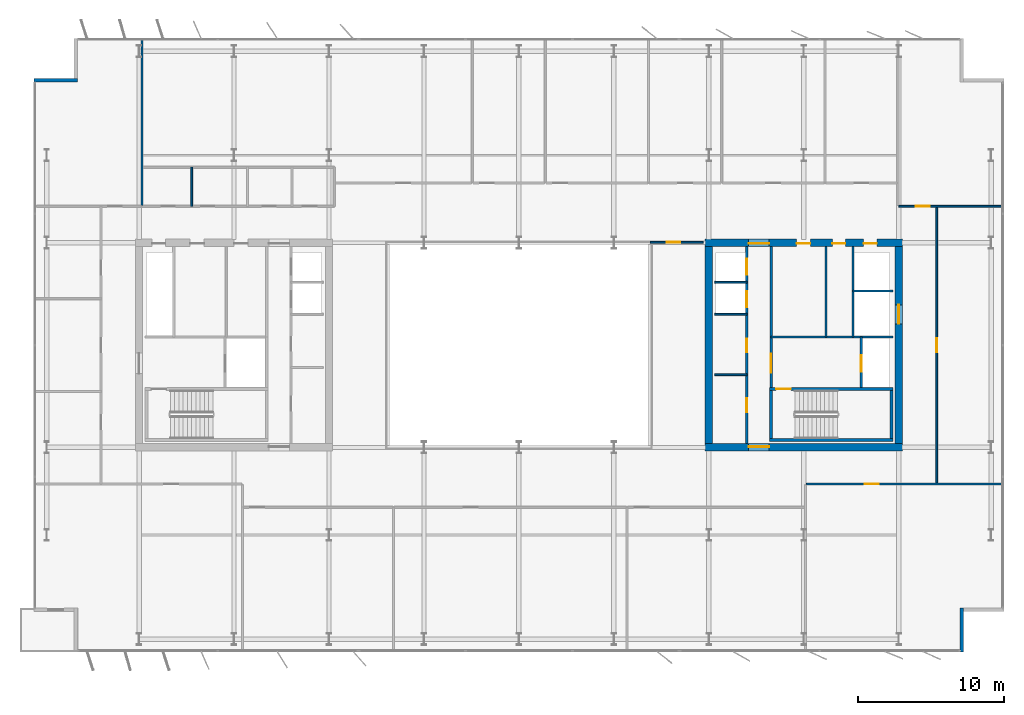
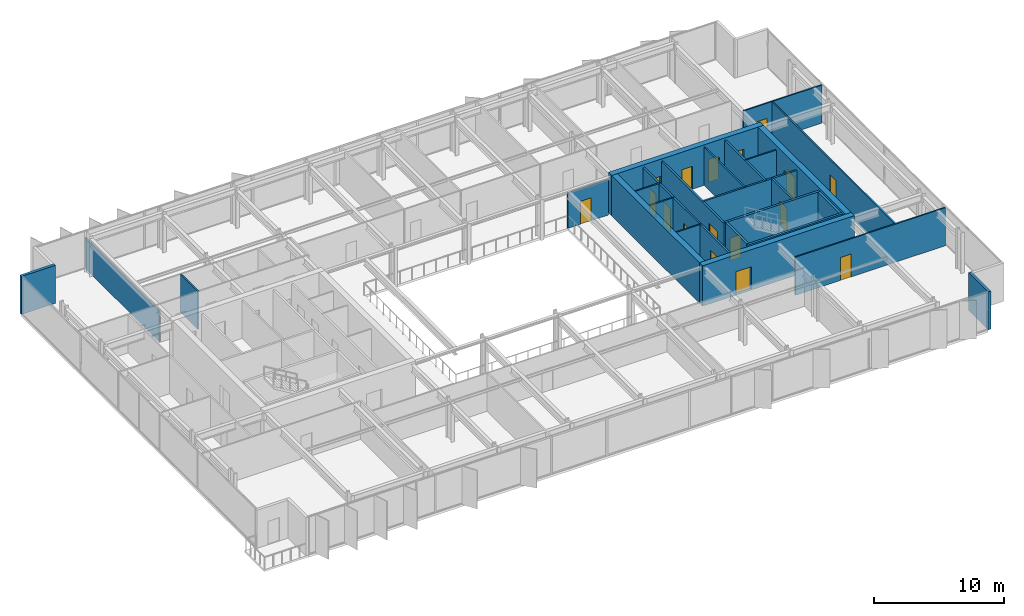
# One storey, part 18 of 23: 26 walls, 17 doors, 17 openings.
"""IFC4 building model written with IfcOpenShell, lengths in metres."""

from ifc_helpers import new_model, si_unit, direction, frame, frame_2d, origin, place, context, subcontext, project, spatial, rectangle, extrude, material, layer, layer_set, type_object, element, fill, save


model = new_model("IFC4")

# Units and contexts
model_context = context("Model", 3, precision=1e-05, world=origin(), true_north=direction((0.0, 1.0)))
body_context = subcontext(model_context, "Body", "Model", "MODEL_VIEW")
ifc_project = project(units=[si_unit("LENGTHUNIT", "METRE"), si_unit("AREAUNIT", "SQUARE_METRE"), si_unit("VOLUMEUNIT", "CUBIC_METRE"), si_unit("PLANEANGLEUNIT", "RADIAN"), si_unit("MASSUNIT", "GRAM", prefix="KILO")], contexts=[model_context])

# Site, building, storey
site_placement = place(None, origin())
site = spatial("IfcSite", under=ifc_project, at=site_placement, CompositionType="ELEMENT")
building_placement = place(site_placement, origin())
building = spatial("IfcBuilding", under=site, at=building_placement, Name="Putna Gate Headquarters", CompositionType="ELEMENT")
storey_placement = place(building_placement, frame((0.0, 0.0, 229.0)))
storey = spatial("IfcBuildingStorey", under=building, at=storey_placement, Name="L57", CompositionType="ELEMENT", Elevation=229.0)

# Wall, opening, door
ifc_material_1 = material(Name="Concrete C50/60", Category="concrete")
ifc_layer_1 = layer(ifc_material_1, 0.5)
ifc_layer_set_1 = layer_set([ifc_layer_1], Name="Concrete C50/60")
wall_type_1 = type_object("IfcWallType", Name="WALL-CORE-500", PredefinedType="SHEAR", material=ifc_layer_set_1)
wall_1_placement = place(storey_placement, frame((51.75, 19.0, 0.0), z_axis=(0.0, 0.0, 1.0), x_axis=(1.0, 0.0, 0.0)))
wall_1 = element("IfcWall", 1, at=wall_1_placement, inside=storey, type_object=wall_type_1, Name="L57 EC Split Core Shear Wall S", PredefinedType="SHEAR", context=body_context, shape_type="SweptSolid", body=[
    extrude(rectangle(XDim=13.5, YDim=0.5, at=frame_2d((6.75, 0.0))), origin(), (0.0, 0.0, 1.0), 3.800048828125),
])
opening_1_placement = place(wall_1_placement, frame((2.969970703125, 0.0, 0.0)))
opening_1 = element("IfcOpeningElement", 2, at=opening_1_placement, cuts=wall_1, Name="Opening FDD-140", PredefinedType="OPENING", context=body_context, shape_type="SweptSolid", body=[
    extrude(rectangle(XDim=1.39990234375, YDim=2.199951171875, at=frame_2d((0.699951171875, 1.10009765625))), frame((0.0, 0.260009765625, 0.0), z_axis=(0.0, -1.0, 0.0), x_axis=(1.0, 0.0, 0.0)), (0.0, 0.0, 1.0), 0.52001953125),
])
ifc_material_2 = material(Name="Double steel fire door", Category="steel")
door_type_1 = type_object("IfcDoorType", Name="DOOR-FIRE-DBL-1400", OperationType="DOUBLE_DOOR_SINGLE_SWING", PredefinedType="DOOR", material=ifc_material_2)
door_1_placement = place(opening_1_placement, origin())
door_1 = element("IfcDoor", 3, at=door_1_placement, inside=storey, type_object=door_type_1, Name="L57 East Lift Lobby South Door", OperationType="DOUBLE_DOOR_SINGLE_SWING", OverallHeight=2.199951171875, OverallWidth=1.39990234375, PredefinedType="DOOR", context=body_context, shape_type="SweptSolid", body=[
    extrude(rectangle(XDim=1.39990234375, YDim=2.199951171875, at=frame_2d((0.699951171875, 1.10009765625))), frame((0.0, 0.0751953125, 0.0), z_axis=(0.0, -1.0, 0.0), x_axis=(1.0, 0.0, 0.0)), (0.0, 0.0, 1.0), 0.050048828125),
])
fill(opening_1, door_1)

# Wall, openings, doors
wall_2_placement = place(storey_placement, frame((51.75, 33.0, 0.0), z_axis=(0.0, 0.0, 1.0), x_axis=(1.0, 0.0, 0.0)))
wall_2 = element("IfcWall", 4, at=wall_2_placement, inside=storey, type_object=wall_type_1, Name="L57 EC Split Core Shear Wall N", PredefinedType="SHEAR", context=body_context, shape_type="SweptSolid", body=[
    extrude(rectangle(XDim=13.5, YDim=0.5, at=frame_2d((6.75, 0.0))), origin(), (0.0, 0.0, 1.0), 3.800048828125),
])
opening_2_placement = place(wall_2_placement, frame((2.969970703125, 0.0, 0.0)))
opening_2 = element("IfcOpeningElement", 5, at=opening_2_placement, cuts=wall_2, Name="Opening FDD-140", PredefinedType="OPENING", context=body_context, shape_type="SweptSolid", body=[
    extrude(rectangle(XDim=1.39990234375, YDim=2.199951171875, at=frame_2d((0.699951171875, 1.10009765625))), frame((0.0, 0.260009765625, 0.0), z_axis=(0.0, -1.0, 0.0), x_axis=(1.0, 0.0, 0.0)), (0.0, 0.0, 1.0), 0.52001953125),
])
opening_3_placement = place(wall_2_placement, frame((10.85009765625, 0.0, 0.0)))
opening_3 = element("IfcOpeningElement", 6, at=opening_3_placement, cuts=wall_2, Name="Opening RD-90", PredefinedType="OPENING", context=body_context, shape_type="SweptSolid", body=[
    extrude(rectangle(XDim=0.89990234375, YDim=2.14990234375, at=frame_2d((0.449951171875, 1.074951171875))), frame((0.0, 0.260009765625, 0.0), z_axis=(0.0, -1.0, 0.0), x_axis=(1.0, 0.0, 0.0)), (0.0, 0.0, 1.0), 0.52001953125),
])
opening_4_placement = place(wall_2_placement, frame((6.25, 0.0, 0.0)))
opening_4 = element("IfcOpeningElement", 7, at=opening_4_placement, cuts=wall_2, Name="Opening IDS-95", PredefinedType="OPENING", context=body_context, shape_type="SweptSolid", body=[
    extrude(rectangle(XDim=0.949951171875, YDim=2.14990234375, at=frame_2d((0.47509765625, 1.074951171875))), frame((0.0, 0.260009765625, 0.0), z_axis=(0.0, -1.0, 0.0), x_axis=(1.0, 0.0, 0.0)), (0.0, 0.0, 1.0), 0.52001953125),
])
opening_5_placement = place(wall_2_placement, frame((8.699951171875, 0.0, 0.0)))
opening_5 = element("IfcOpeningElement", 8, at=opening_5_placement, cuts=wall_2, Name="Opening IDS-90", PredefinedType="OPENING", context=body_context, shape_type="SweptSolid", body=[
    extrude(rectangle(XDim=0.89990234375, YDim=2.14990234375, at=frame_2d((0.449951171875, 1.074951171875))), frame((0.0, 0.260009765625, 0.0), z_axis=(0.0, -1.0, 0.0), x_axis=(1.0, 0.0, 0.0)), (0.0, 0.0, 1.0), 0.52001953125),
])
door_2_placement = place(opening_2_placement, origin())
door_2 = element("IfcDoor", 9, at=door_2_placement, inside=storey, type_object=door_type_1, Name="L57 East Lift Lobby North Door", OperationType="DOUBLE_DOOR_SINGLE_SWING", OverallHeight=2.199951171875, OverallWidth=1.39990234375, PredefinedType="DOOR", context=body_context, shape_type="SweptSolid", body=[
    extrude(rectangle(XDim=1.39990234375, YDim=2.199951171875, at=frame_2d((0.699951171875, 1.10009765625))), frame((0.0, -0.02490234375, 0.0), z_axis=(0.0, -1.0, 0.0), x_axis=(1.0, 0.0, 0.0)), (0.0, 0.0, 1.0), 0.050048828125),
])
fill(opening_2, door_2)
ifc_material_3 = material(Name="Fire-rated utility door")
door_type_2 = type_object("IfcDoorType", Name="DOOR-INT-900", OperationType="NOTDEFINED", PredefinedType="DOOR", material=ifc_material_3)
door_3_placement = place(opening_5_placement, origin())
door_3 = element("IfcDoor", 10, at=door_3_placement, inside=storey, type_object=door_type_2, Name="L57 Electrical Plant Door", OperationType="SINGLE_SWING_LEFT", OverallHeight=2.14990234375, OverallWidth=0.89990234375, PredefinedType="DOOR", context=body_context, shape_type="SweptSolid", body=[
    extrude(rectangle(XDim=0.89990234375, YDim=2.14990234375, at=frame_2d((0.449951171875, 1.074951171875))), frame((0.0, -0.02490234375, 0.0), z_axis=(0.0, -1.0, 0.0), x_axis=(1.0, 0.0, 0.0)), (0.0, 0.0, 1.0), 0.050048828125),
])
fill(opening_5, door_3)
ifc_material_4 = material(Name="Fire-rated service timber door", Category="wood")
door_type_3 = type_object("IfcDoorType", Name="DOOR-INT-950", OperationType="NOTDEFINED", PredefinedType="DOOR", material=ifc_material_4)
door_4_placement = place(opening_4_placement, origin())
door_4 = element("IfcDoor", 11, at=door_4_placement, inside=storey, type_object=door_type_3, Name="L57 East Store Door", OperationType="SINGLE_SWING_RIGHT", OverallHeight=2.14990234375, OverallWidth=0.949951171875, PredefinedType="DOOR", context=body_context, shape_type="SweptSolid", body=[
    extrude(rectangle(XDim=0.949951171875, YDim=2.14990234375, at=frame_2d((0.47509765625, 1.074951171875))), frame((0.0, -0.02490234375, 0.0), z_axis=(0.0, -1.0, 0.0), x_axis=(1.0, 0.0, 0.0)), (0.0, 0.0, 1.0), 0.050048828125),
])
fill(opening_4, door_4)
ifc_material_5 = material(Name="Steel riser access fire door", Category="steel")
door_type_4 = type_object("IfcDoorType", Name="DOOR-RISER-900", OperationType="NOTDEFINED", PredefinedType="DOOR", material=ifc_material_5)
door_5_placement = place(opening_3_placement, origin())
door_5 = element("IfcDoor", 12, at=door_5_placement, inside=storey, type_object=door_type_4, Name="L57 East Riser Access Door", OperationType="SINGLE_SWING_LEFT", OverallHeight=2.14990234375, OverallWidth=0.89990234375, PredefinedType="DOOR", context=body_context, shape_type="SweptSolid", body=[
    extrude(rectangle(XDim=0.89990234375, YDim=2.14990234375, at=frame_2d((0.449951171875, 1.074951171875))), frame((0.0, -0.02490234375, 0.0), z_axis=(0.0, -1.0, 0.0), x_axis=(1.0, 0.0, 0.0)), (0.0, 0.0, 1.0), 0.050048828125),
])
fill(opening_3, door_5)

# Wall
wall_3_placement = place(storey_placement, frame((52.0, 19.25, 0.0), z_axis=(0.0, 0.0, 1.0), x_axis=(0.0, 1.0, 0.0)))
element("IfcWall", 13, at=wall_3_placement, inside=storey, type_object=wall_type_1, Name="L57 EC Split Core Shear Wall W", PredefinedType="SHEAR", context=body_context, shape_type="SweptSolid", body=[
    extrude(rectangle(XDim=13.5, YDim=0.5, at=frame_2d((6.75, 0.0))), origin(), (0.0, 0.0, 1.0), 3.800048828125),
])

# Wall, opening, door
wall_4_placement = place(storey_placement, frame((65.0, 19.25, 0.0), z_axis=(0.0, 0.0, 1.0), x_axis=(0.0, 1.0, 0.0)))
wall_4 = element("IfcWall", 14, at=wall_4_placement, inside=storey, type_object=wall_type_1, Name="L57 EC Split Core Shear Wall E", PredefinedType="SHEAR", context=body_context, shape_type="SweptSolid", body=[
    extrude(rectangle(XDim=13.5, YDim=0.5, at=frame_2d((6.75, 0.0))), origin(), (0.0, 0.0, 1.0), 3.800048828125),
])
opening_6_placement = place(wall_4_placement, frame((8.199951171875, 0.0, 0.0)))
opening_6 = element("IfcOpeningElement", 15, at=opening_6_placement, cuts=wall_4, Name="Opening LD-2", PredefinedType="OPENING", context=body_context, shape_type="SweptSolid", body=[
    extrude(rectangle(XDim=1.300048828125, YDim=2.199951171875, at=frame_2d((0.64990234375, 1.10009765625))), frame((0.0, 0.260009765625, 0.0), z_axis=(0.0, -1.0, 0.0), x_axis=(1.0, 0.0, 0.0)), (0.0, 0.0, 1.0), 0.52001953125),
])
ifc_material_6 = material(Name="Heavy-duty goods lift sliding landing door")
door_type_5 = type_object("IfcDoorType", Name="DOOR-LIFT-1300", OperationType="DOUBLE_DOOR_SLIDING", PredefinedType="DOOR", material=ifc_material_6)
door_6_placement = place(opening_6_placement, origin())
door_6 = element("IfcDoor", 16, at=door_6_placement, inside=storey, type_object=door_type_5, Name="L57 Goods Lift Landing Door LD-15", OperationType="DOUBLE_DOOR_SLIDING", OverallHeight=2.199951171875, OverallWidth=1.300048828125, PredefinedType="DOOR", context=body_context, shape_type="SweptSolid", body=[
    extrude(rectangle(XDim=1.300048828125, YDim=2.199951171875, at=frame_2d((0.64990234375, 1.10009765625))), frame((0.0, 0.02490234375, 0.0), z_axis=(0.0, -1.0, 0.0), x_axis=(1.0, 0.0, 0.0)), (0.0, 0.0, 1.0), 0.050048828125),
])
fill(opening_6, door_6)

# Walls
ifc_material_7 = material(Name="Precast concrete C40/50", Category="concrete")
ifc_layer_2 = layer(ifc_material_7, 0.239990234375)
ifc_layer_set_2 = layer_set([ifc_layer_2], Name="Precast concrete C40/50")
wall_type_2 = type_object("IfcWallType", Name="WALL-EXT-TERR-240", PredefinedType="STANDARD", material=ifc_layer_set_2)
for number, where, z_axis, x_axis, name in (
    (17, (5.800048828125, 44.1201171875, 0.0), (0.0, 0.0, 1.0), (1.0, 0.0, 0.0), "L57 Corner Notch Return Wall NW-H"),
    (18, (69.320068359375, 8.0, 0.0), (0.0, 0.0, 1.0), (0.0, -1.0, 0.0), "L57 Corner Notch Return Wall SE-V"),
):
    element("IfcWall", number, at=place(storey_placement, frame(where, z_axis=z_axis, x_axis=x_axis)), inside=storey, type_object=wall_type_2, Name=name, PredefinedType="STANDARD", context=body_context, shape_type="SweptSolid", body=[
        extrude(rectangle(XDim=3.0, YDim=0.239990234375, at=frame_2d((1.5, 0.0))), origin(), (0.0, 0.0, 1.0), 3.580078125),
    ])

# Wall, opening, door
ifc_material_8 = material(Name="Acoustic gypsum board on metal stud")
ifc_layer_3 = layer(ifc_material_8, 0.1201171875)
ifc_layer_set_3 = layer_set([ifc_layer_3], Name="Acoustic gypsum board on metal stud")
wall_type_3 = type_object("IfcWallType", Name="WALL-PART-120", PredefinedType="PARTITIONING", material=ifc_layer_set_3)
wall_5_placement = place(storey_placement, frame((48.0, 33.0400390625, 0.0), z_axis=(0.0, 0.0, 1.0), x_axis=(1.0, 0.0, 0.0)))
wall_5 = element("IfcWall", 19, at=wall_5_placement, inside=storey, type_object=wall_type_3, Name="L57 Interior Wall PART-L57-ATR-E-N", PredefinedType="PARTITIONING", context=body_context, shape_type="SweptSolid", body=[
    extrude(rectangle(XDim=3.60009765625, YDim=0.1201171875, at=frame_2d((1.800048828125, 0.0))), origin(), (0.0, 0.0, 1.0), 3.320068359375),
])
opening_7_placement = place(wall_5_placement, frame((1.10009765625, 0.0, 0.0)))
opening_7 = element("IfcOpeningElement", 20, at=opening_7_placement, cuts=wall_5, Name="Opening ID-95", PredefinedType="OPENING", context=body_context, shape_type="SweptSolid", body=[
    extrude(rectangle(XDim=0.949951171875, YDim=2.14990234375, at=frame_2d((0.47509765625, 1.074951171875))), frame((0.0, 0.070068359375, 0.0), z_axis=(0.0, -1.0, 0.0), x_axis=(1.0, 0.0, 0.0)), (0.0, 0.0, 1.0), 0.14013671875),
])
ifc_material_9 = material(Name="Veneered acoustic timber door", Category="wood")
door_type_6 = type_object("IfcDoorType", Name="DOOR-OFF-950", OperationType="NOTDEFINED", PredefinedType="DOOR", material=ifc_material_9)
door_7_placement = place(opening_7_placement, origin())
door_7 = element("IfcDoor", 21, at=door_7_placement, inside=storey, type_object=door_type_6, Name="L57 East Sky Atrium Lounge Door", OperationType="SINGLE_SWING_LEFT", OverallHeight=2.14990234375, OverallWidth=0.949951171875, PredefinedType="DOOR", context=body_context, shape_type="SweptSolid", body=[
    extrude(rectangle(XDim=0.949951171875, YDim=2.14990234375, at=frame_2d((0.47509765625, 1.074951171875))), frame((0.0, 0.02490234375, 0.0), z_axis=(0.0, -1.0, 0.0), x_axis=(1.0, 0.0, 0.0)), (0.0, 0.0, 1.0), 0.050048828125),
])
fill(opening_7, door_7)

# Walls
wall_6_placement = place(storey_placement, frame((13.199951171875, 35.56005859375, 0.0), z_axis=(0.0, 0.0, 1.0), x_axis=(0.0, 1.0, 0.0)))
element("IfcWall", 22, at=wall_6_placement, inside=storey, type_object=wall_type_3, Name="L57 Interior Wall PART-L57-NB-DIV-01", PredefinedType="PARTITIONING", context=body_context, shape_type="SweptSolid", body=[
    extrude(rectangle(XDim=11.419921875, YDim=0.1201171875, at=frame_2d((5.7099609375, 0.0))), origin(), (0.0, 0.0, 1.0), 2.8798828125),
])
ifc_material_10 = material(Name="Fire-rated shaftwall gypsum board on metal stud")
ifc_layer_4 = layer(ifc_material_10, 0.1201171875)
ifc_layer_set_4 = layer_set([ifc_layer_4], Name="Fire-rated shaftwall gypsum board on metal stud")
wall_type_4 = type_object("IfcWallType", Name="WALL-PART-120-EI120", PredefinedType="PARTITIONING", material=ifc_layer_set_4)
wall_7_placement = place(storey_placement, frame((52.39990234375, 30.31005859375, 0.0), z_axis=(0.0, 0.0, 1.0), x_axis=(1.0, 0.0, 0.0)))
element("IfcWall", 23, at=wall_7_placement, inside=storey, type_object=wall_type_4, Name="L57 Interior Wall CWINT-L57-EC-LF11-DIV", PredefinedType="PARTITIONING", context=body_context, shape_type="SweptSolid", body=[
    extrude(rectangle(XDim=2.2001953125, YDim=0.1201171875, at=frame_2d((1.10009765625, 0.0))), origin(), (0.0, 0.0, 1.0), 3.580078125),
])
wall_8_placement = place(storey_placement, frame((61.8701171875, 29.699951171875, 0.0), z_axis=(0.0, 0.0, 1.0), x_axis=(1.0, 0.0, 0.0)))
element("IfcWall", 24, at=wall_8_placement, inside=storey, type_object=wall_type_4, Name="L57 Interior Wall CWINT-L57-EC-LF15-N", PredefinedType="PARTITIONING", context=body_context, shape_type="SweptSolid", body=[
    extrude(rectangle(XDim=2.72998046875, YDim=0.1201171875, at=frame_2d((1.364990234375, 0.0))), origin(), (0.0, 0.0, 1.0), 3.580078125),
])
ifc_material_11 = material(Name="Fire-rated gypsum board on metal stud")
ifc_layer_5 = layer(ifc_material_11, 0.1201171875)
ifc_layer_set_5 = layer_set([ifc_layer_5], Name="Fire-rated gypsum board on metal stud")
wall_type_5 = type_object("IfcWallType", Name="WALL-PART-120-RATED", PredefinedType="PARTITIONING", material=ifc_layer_set_5)
for number, where, z_axis, x_axis, name in (
    (25, (52.39990234375, 23.969970703125, 0.0), (0.0, 0.0, 1.0), (1.0, 0.0, 0.0), "L57 Interior Wall CWINT-L57-EC-REUSE-DIV"),
    (26, (52.39990234375, 28.1201171875, 0.0), (0.0, 0.0, 1.0), (1.0, 0.0, 0.0), "L57 Interior Wall CWINT-L57-EC-LF08-DIV"),
):
    element("IfcWall", number, at=place(storey_placement, frame(where, z_axis=z_axis, x_axis=x_axis)), inside=storey, type_object=wall_type_5, Name=name, PredefinedType="PARTITIONING", context=body_context, shape_type="SweptSolid", body=[
        extrude(rectangle(XDim=2.2001953125, YDim=0.1201171875, at=frame_2d((1.10009765625, 0.0))), origin(), (0.0, 0.0, 1.0), 3.580078125),
    ])
wall_9_placement = place(storey_placement, frame((60.02001953125, 26.56005859375, 0.0), z_axis=(0.0, 0.0, 1.0), x_axis=(0.0, 1.0, 0.0)))
element("IfcWall", 27, at=wall_9_placement, inside=storey, type_object=wall_type_5, Name="L57 Interior Wall CWINT-L57-EC-K0-DIV", PredefinedType="PARTITIONING", context=body_context, shape_type="SweptSolid", body=[
    extrude(rectangle(XDim=6.18994140625, YDim=0.1201171875, at=frame_2d((3.094970703125, 0.0))), origin(), (0.0, 0.0, 1.0), 3.580078125),
])
wall_10_placement = place(storey_placement, frame((16.60009765625, 35.5, 0.0), z_axis=(0.0, 0.0, 1.0), x_axis=(0.0, 1.0, 0.0)))
element("IfcWall", 28, at=wall_10_placement, inside=storey, type_object=wall_type_5, Name="L57 Interior Wall PART-L57-SAN-DIV-1", PredefinedType="PARTITIONING", context=body_context, shape_type="SweptSolid", body=[
    extrude(rectangle(XDim=2.679931640625, YDim=0.1201171875, at=frame_2d((1.33984375, 0.0))), origin(), (0.0, 0.0, 1.0), 3.580078125),
])

# Wall, opening, door
wall_11_placement = place(storey_placement, frame((65.0126953125, 35.5, 0.0), z_axis=(0.0, 0.0, 1.0), x_axis=(1.0, 0.0, 0.0)))
wall_11 = element("IfcWall", 29, at=wall_11_placement, inside=storey, type_object=wall_type_5, Name="L57 Interior Wall PART-L57-NB-CW-08", PredefinedType="PARTITIONING", context=body_context, shape_type="SweptSolid", body=[
    extrude(rectangle(XDim=7.00732421875, YDim=0.1201171875, at=frame_2d((3.503662109375, 0.0))), origin(), (0.0, 0.0, 1.0), 3.580078125),
])
opening_8_placement = place(wall_11_placement, frame((1.1572265625, 0.0, 0.0)))
opening_8 = element("IfcOpeningElement", 30, at=opening_8_placement, cuts=wall_11, Name="Opening FD-95", PredefinedType="OPENING", context=body_context, shape_type="SweptSolid", body=[
    extrude(rectangle(XDim=0.949951171875, YDim=2.14990234375, at=frame_2d((0.47509765625, 1.074951171875))), frame((0.0, 0.070068359375, 0.0), z_axis=(0.0, -1.0, 0.0), x_axis=(1.0, 0.0, 0.0)), (0.0, 0.0, 1.0), 0.14013671875),
])
ifc_material_12 = material(Name="Acoustic timber fire door", Category="wood")
door_type_7 = type_object("IfcDoorType", Name="DOOR-FIRE-950", OperationType="NOTDEFINED", PredefinedType="DOOR", material=ifc_material_12)
door_8_placement = place(opening_8_placement, origin())
door_8 = element("IfcDoor", 31, at=door_8_placement, inside=storey, type_object=door_type_7, Name="L57 Cellular Office 5 Door", OperationType="SINGLE_SWING_LEFT", OverallHeight=2.14990234375, OverallWidth=0.949951171875, PredefinedType="DOOR", context=body_context, shape_type="SweptSolid", body=[
    extrude(rectangle(XDim=0.949951171875, YDim=2.14990234375, at=frame_2d((0.47509765625, 1.074951171875))), frame((0.0, 0.02490234375, 0.0), z_axis=(0.0, -1.0, 0.0), x_axis=(1.0, 0.0, 0.0)), (0.0, 0.0, 1.0), 0.050048828125),
])
fill(opening_8, door_8)

wall_12_placement = place(storey_placement, frame((58.673828125, 16.5, 0.0), z_axis=(0.0, 0.0, 1.0), x_axis=(1.0, 0.0, 0.0)))
wall_12 = element("IfcWall", 32, at=wall_12_placement, inside=storey, type_object=wall_type_5, Name="L57 Interior Wall PART-L57-SB-CW-05", PredefinedType="PARTITIONING", context=body_context, shape_type="SweptSolid", body=[
    extrude(rectangle(XDim=13.34619140625, YDim=0.1201171875, at=frame_2d((6.673095703125, 0.0))), origin(), (0.0, 0.0, 1.0), 3.580078125),
])
opening_9_placement = place(wall_12_placement, frame((3.988037109375, 0.0, 0.0)))
opening_9 = element("IfcOpeningElement", 33, at=opening_9_placement, cuts=wall_12, Name="Opening FD-95", PredefinedType="OPENING", context=body_context, shape_type="SweptSolid", body=[
    extrude(rectangle(XDim=0.949951171875, YDim=2.14990234375, at=frame_2d((0.47509765625, 1.074951171875))), frame((0.0, 0.070068359375, 0.0), z_axis=(0.0, -1.0, 0.0), x_axis=(1.0, 0.0, 0.0)), (0.0, 0.0, 1.0), 0.14013671875),
])
door_9_placement = place(opening_9_placement, origin())
door_9 = element("IfcDoor", 34, at=door_9_placement, inside=storey, type_object=door_type_7, Name="L57 Conference Meeting Room 2 Door", OperationType="SINGLE_SWING_RIGHT", OverallHeight=2.14990234375, OverallWidth=0.949951171875, PredefinedType="DOOR", context=body_context, shape_type="SweptSolid", body=[
    extrude(rectangle(XDim=0.949951171875, YDim=2.14990234375, at=frame_2d((0.47509765625, 1.074951171875))), frame((0.0, 0.02490234375, 0.0), z_axis=(0.0, -1.0, 0.0), x_axis=(1.0, 0.0, 0.0)), (0.0, 0.0, 1.0), 0.050048828125),
])
fill(opening_9, door_9)

wall_13_placement = place(storey_placement, frame((67.60009765625, 16.5, 0.0), z_axis=(0.0, 0.0, 1.0), x_axis=(0.0, 1.0, 0.0)))
wall_13 = element("IfcWall", 35, at=wall_13_placement, inside=storey, type_object=wall_type_5, Name="L57 Interior Wall PART-L57-EW-CW-1", PredefinedType="PARTITIONING", context=body_context, shape_type="SweptSolid", body=[
    extrude(rectangle(XDim=19.0, YDim=0.1201171875, at=frame_2d((9.5, 0.0))), origin(), (0.0, 0.0, 1.0), 3.580078125),
])
opening_10_placement = place(wall_13_placement, frame((9.02490234375, 0.0, 0.0)))
opening_10 = element("IfcOpeningElement", 36, at=opening_10_placement, cuts=wall_13, Name="Opening FD-95", PredefinedType="OPENING", context=body_context, shape_type="SweptSolid", body=[
    extrude(rectangle(XDim=0.949951171875, YDim=2.14990234375, at=frame_2d((0.47509765625, 1.074951171875))), frame((0.0, 0.070068359375, 0.0), z_axis=(0.0, -1.0, 0.0), x_axis=(1.0, 0.0, 0.0)), (0.0, 0.0, 1.0), 0.14013671875),
])
door_10_placement = place(opening_10_placement, origin())
door_10 = element("IfcDoor", 37, at=door_10_placement, inside=storey, type_object=door_type_7, Name="L57 East Advisory Office 1 Door", OperationType="SINGLE_SWING_RIGHT", OverallHeight=2.14990234375, OverallWidth=0.949951171875, PredefinedType="DOOR", context=body_context, shape_type="SweptSolid", body=[
    extrude(rectangle(XDim=0.949951171875, YDim=2.14990234375, at=frame_2d((0.47509765625, 1.074951171875))), frame((0.0, 0.02490234375, 0.0), z_axis=(0.0, -1.0, 0.0), x_axis=(1.0, 0.0, 0.0)), (0.0, 0.0, 1.0), 0.050048828125),
])
fill(opening_10, door_10)

# Wall, openings, doors
ifc_material_13 = material(Name="Concrete C40/50", Category="concrete")
ifc_layer_6 = layer(ifc_material_13, 0.159912109375)
ifc_layer_set_6 = layer_set([ifc_layer_6], Name="Concrete C40/50")
wall_type_6 = type_object("IfcWallType", Name="WALL-SHAFT-160", PredefinedType="STANDARD", material=ifc_layer_set_6)
wall_14_placement = place(storey_placement, frame((54.60009765625, 19.25, 0.0), z_axis=(0.0, 0.0, 1.0), x_axis=(0.0, 1.0, 0.0)))
wall_14 = element("IfcWall", 38, at=wall_14_placement, inside=storey, type_object=wall_type_6, Name="L57 Interior Wall CWINT-L57-EC-PL-WALL", PredefinedType="STANDARD", context=body_context, shape_type="SweptSolid", body=[
    extrude(rectangle(XDim=13.5, YDim=0.159912109375, at=frame_2d((6.75, 0.0))), origin(), (0.0, 0.0, 1.0), 3.580078125),
])
opening_11_placement = place(wall_14_placement, frame((2.14990234375, 0.0, 0.0)))
opening_11 = element("IfcOpeningElement", 39, at=opening_11_placement, cuts=wall_14, Name="Opening IDS-95", PredefinedType="OPENING", context=body_context, shape_type="SweptSolid", body=[
    extrude(rectangle(XDim=0.949951171875, YDim=2.14990234375, at=frame_2d((0.47509765625, 1.074951171875))), frame((0.0, 0.08984375, 0.0), z_axis=(0.0, -1.0, 0.0), x_axis=(1.0, 0.0, 0.0)), (0.0, 0.0, 1.0), 0.179931640625),
])
opening_12_placement = place(wall_14_placement, frame((6.25, 0.0, 0.0)))
opening_12 = element("IfcOpeningElement", 40, at=opening_12_placement, cuts=wall_14, Name="Opening IDS-95", PredefinedType="OPENING", context=body_context, shape_type="SweptSolid", body=[
    extrude(rectangle(XDim=0.949951171875, YDim=2.14990234375, at=frame_2d((0.47509765625, 1.074951171875))), frame((0.0, 0.08984375, 0.0), z_axis=(0.0, -1.0, 0.0), x_axis=(1.0, 0.0, 0.0)), (0.0, 0.0, 1.0), 0.179931640625),
])
opening_13_placement = place(wall_14_placement, frame((9.35009765625, 0.0, 0.0)))
opening_13 = element("IfcOpeningElement", 41, at=opening_13_placement, cuts=wall_14, Name="Opening LD-1", PredefinedType="OPENING", context=body_context, shape_type="SweptSolid", body=[
    extrude(rectangle(XDim=1.10009765625, YDim=2.199951171875, at=frame_2d((0.550048828125, 1.10009765625))), frame((0.0, 0.08984375, 0.0), z_axis=(0.0, -1.0, 0.0), x_axis=(1.0, 0.0, 0.0)), (0.0, 0.0, 1.0), 0.179931640625),
])
opening_14_placement = place(wall_14_placement, frame((11.550048828125, 0.0, 0.0)))
opening_14 = element("IfcOpeningElement", 42, at=opening_14_placement, cuts=wall_14, Name="Opening LD-1", PredefinedType="OPENING", context=body_context, shape_type="SweptSolid", body=[
    extrude(rectangle(XDim=1.10009765625, YDim=2.199951171875, at=frame_2d((0.550048828125, 1.10009765625))), frame((0.0, 0.08984375, 0.0), z_axis=(0.0, -1.0, 0.0), x_axis=(1.0, 0.0, 0.0)), (0.0, 0.0, 1.0), 0.179931640625),
])
door_11_placement = place(opening_11_placement, origin())
door_11 = element("IfcDoor", 43, at=door_11_placement, inside=storey, type_object=door_type_3, Name="L57 Executive Archive Door", OperationType="SINGLE_SWING_RIGHT", OverallHeight=2.14990234375, OverallWidth=0.949951171875, PredefinedType="DOOR", context=body_context, shape_type="SweptSolid", body=[
    extrude(rectangle(XDim=0.949951171875, YDim=2.14990234375, at=frame_2d((0.47509765625, 1.074951171875))), frame((0.0, 0.02490234375, 0.0), z_axis=(0.0, -1.0, 0.0), x_axis=(1.0, 0.0, 0.0)), (0.0, 0.0, 1.0), 0.050048828125),
])
fill(opening_11, door_11)
door_12_placement = place(opening_12_placement, origin())
door_12 = element("IfcDoor", 44, at=door_12_placement, inside=storey, type_object=door_type_3, Name="L57 Comms Distribution Door", OperationType="SINGLE_SWING_LEFT", OverallHeight=2.14990234375, OverallWidth=0.949951171875, PredefinedType="DOOR", context=body_context, shape_type="SweptSolid", body=[
    extrude(rectangle(XDim=0.949951171875, YDim=2.14990234375, at=frame_2d((0.47509765625, 1.074951171875))), frame((0.0, 0.02490234375, 0.0), z_axis=(0.0, -1.0, 0.0), x_axis=(1.0, 0.0, 0.0)), (0.0, 0.0, 1.0), 0.050048828125),
])
fill(opening_12, door_12)
ifc_material_14 = material(Name="Brushed bronze stainless lift landing door")
door_type_8 = type_object("IfcDoorType", Name="DOOR-LIFT-1100", OperationType="DOUBLE_DOOR_SLIDING", PredefinedType="DOOR", material=ifc_material_14)
door_13_placement = place(opening_13_placement, origin())
door_13 = element("IfcDoor", 45, at=door_13_placement, inside=storey, type_object=door_type_8, Name="L57 Lift Landing Door LD-11", OperationType="DOUBLE_DOOR_SLIDING", OverallHeight=2.199951171875, OverallWidth=1.10009765625, PredefinedType="DOOR", context=body_context, shape_type="SweptSolid", body=[
    extrude(rectangle(XDim=1.10009765625, YDim=2.199951171875, at=frame_2d((0.550048828125, 1.10009765625))), frame((0.0, 0.02490234375, 0.0), z_axis=(0.0, -1.0, 0.0), x_axis=(1.0, 0.0, 0.0)), (0.0, 0.0, 1.0), 0.050048828125),
])
fill(opening_13, door_13)
door_14_placement = place(opening_14_placement, origin())
door_14 = element("IfcDoor", 46, at=door_14_placement, inside=storey, type_object=door_type_8, Name="L57 Lift Landing Door LD-12", OperationType="DOUBLE_DOOR_SLIDING", OverallHeight=2.199951171875, OverallWidth=1.10009765625, PredefinedType="DOOR", context=body_context, shape_type="SweptSolid", body=[
    extrude(rectangle(XDim=1.10009765625, YDim=2.199951171875, at=frame_2d((0.550048828125, 1.10009765625))), frame((0.0, 0.02490234375, 0.0), z_axis=(0.0, -1.0, 0.0), x_axis=(1.0, 0.0, 0.0)), (0.0, 0.0, 1.0), 0.050048828125),
])
fill(opening_14, door_14)

# Wall, opening, door
wall_15_placement = place(storey_placement, frame((56.260009765625, 23.090087890625, 0.0), z_axis=(0.0, 0.0, 1.0), x_axis=(0.0, 1.0, 0.0)))
wall_15 = element("IfcWall", 47, at=wall_15_placement, inside=storey, type_object=wall_type_6, Name="L57 Interior Wall CWINT-L57-EC-LOB-E", PredefinedType="STANDARD", context=body_context, shape_type="SweptSolid", body=[
    extrude(rectangle(XDim=9.659912109375, YDim=0.159912109375, at=frame_2d((4.830078125, 0.0))), origin(), (0.0, 0.0, 1.0), 3.580078125),
])
opening_15_placement = place(wall_15_placement, frame((1.010009765625, 0.0, 0.0)))
opening_15 = element("IfcOpeningElement", 48, at=opening_15_placement, cuts=wall_15, Name="Opening FDD-130", PredefinedType="OPENING", context=body_context, shape_type="SweptSolid", body=[
    extrude(rectangle(XDim=1.300048828125, YDim=2.199951171875, at=frame_2d((0.64990234375, 1.10009765625))), frame((0.0, 0.08984375, 0.0), z_axis=(0.0, -1.0, 0.0), x_axis=(1.0, 0.0, 0.0)), (0.0, 0.0, 1.0), 0.179931640625),
])
ifc_material_15 = material(Name="Double steel lobby fire door", Category="steel")
door_type_9 = type_object("IfcDoorType", Name="DOOR-FIRE-DBL-1300", OperationType="DOUBLE_DOOR_SINGLE_SWING", PredefinedType="DOOR", material=ifc_material_15)
door_15_placement = place(opening_15_placement, origin())
door_15 = element("IfcDoor", 49, at=door_15_placement, inside=storey, type_object=door_type_9, Name="L57 East Firefighting Lobby Door", OperationType="DOUBLE_DOOR_SINGLE_SWING", OverallHeight=2.199951171875, OverallWidth=1.300048828125, PredefinedType="DOOR", context=body_context, shape_type="SweptSolid", body=[
    extrude(rectangle(XDim=1.300048828125, YDim=2.199951171875, at=frame_2d((0.64990234375, 1.10009765625))), frame((0.0, 0.02490234375, 0.0), z_axis=(0.0, -1.0, 0.0), x_axis=(1.0, 0.0, 0.0)), (0.0, 0.0, 1.0), 0.050048828125),
])
fill(opening_15, door_15)

wall_16_placement = place(storey_placement, frame((62.429931640625, 23.090087890625, 0.0), z_axis=(0.0, 0.0, 1.0), x_axis=(0.0, 1.0, 0.0)))
wall_16 = element("IfcWall", 50, at=wall_16_placement, inside=storey, type_object=wall_type_6, Name="L57 Interior Wall CWINT-L57-EC-LF14-W", PredefinedType="STANDARD", context=body_context, shape_type="SweptSolid", body=[
    extrude(rectangle(XDim=3.469970703125, YDim=0.159912109375, at=frame_2d((1.73486328125, 0.0))), origin(), (0.0, 0.0, 1.0), 3.580078125),
])
opening_16_placement = place(wall_16_placement, frame((1.10009765625, 0.0, 0.0)))
opening_16 = element("IfcOpeningElement", 51, at=opening_16_placement, cuts=wall_16, Name="Opening LD-1", PredefinedType="OPENING", context=body_context, shape_type="SweptSolid", body=[
    extrude(rectangle(XDim=1.10009765625, YDim=2.199951171875, at=frame_2d((0.550048828125, 1.10009765625))), frame((0.0, 0.08984375, 0.0), z_axis=(0.0, -1.0, 0.0), x_axis=(1.0, 0.0, 0.0)), (0.0, 0.0, 1.0), 0.179931640625),
])
door_16_placement = place(opening_16_placement, origin())
door_16 = element("IfcDoor", 52, at=door_16_placement, inside=storey, type_object=door_type_8, Name="L57 Lift Landing Door LD-14", OperationType="DOUBLE_DOOR_SLIDING", OverallHeight=2.199951171875, OverallWidth=1.10009765625, PredefinedType="DOOR", context=body_context, shape_type="SweptSolid", body=[
    extrude(rectangle(XDim=1.10009765625, YDim=2.199951171875, at=frame_2d((0.550048828125, 1.10009765625))), frame((0.0, 0.02490234375, 0.0), z_axis=(0.0, -1.0, 0.0), x_axis=(1.0, 0.0, 0.0)), (0.0, 0.0, 1.0), 0.050048828125),
])
fill(opening_16, door_16)

# Walls
wall_17_placement = place(storey_placement, frame((56.260009765625, 26.56005859375, 0.0), z_axis=(0.0, 0.0, 1.0), x_axis=(1.0, 0.0, 0.0)))
element("IfcWall", 53, at=wall_17_placement, inside=storey, type_object=wall_type_6, Name="L57 Interior Wall CWINT-L57-EC-FFL-N", PredefinedType="STANDARD", context=body_context, shape_type="SweptSolid", body=[
    extrude(rectangle(XDim=8.340087890625, YDim=0.159912109375, at=frame_2d((4.169921875, 0.0))), origin(), (0.0, 0.0, 1.0), 3.580078125),
])
wall_18_placement = place(storey_placement, frame((61.8701171875, 26.56005859375, 0.0), z_axis=(0.0, 0.0, 1.0), x_axis=(0.0, 1.0, 0.0)))
element("IfcWall", 54, at=wall_18_placement, inside=storey, type_object=wall_type_6, Name="L57 Interior Wall CWINT-L57-EC-LF15-W", PredefinedType="STANDARD", context=body_context, shape_type="SweptSolid", body=[
    extrude(rectangle(XDim=6.18994140625, YDim=0.159912109375, at=frame_2d((3.094970703125, 0.0))), origin(), (0.0, 0.0, 1.0), 3.580078125),
])
ifc_layer_7 = layer(ifc_material_13, 0.199951171875)
ifc_layer_set_7 = layer_set([ifc_layer_7], Name="Concrete C40/50")
wall_type_7 = type_object("IfcWallType", Name="WALL-SHAFT-RC200", PredefinedType="SHEAR", material=ifc_layer_set_7)
wall_19_placement = place(storey_placement, frame((56.159912109375, 19.510009765625, 0.0), z_axis=(0.0, 0.0, 1.0), x_axis=(1.0, 0.0, 0.0)))
element("IfcWall", 55, at=wall_19_placement, inside=storey, type_object=wall_type_7, Name="L57 Stair ST2 Structural Shaft Wall S", PredefinedType="SHEAR", context=body_context, shape_type="SweptSolid", body=[
    extrude(rectangle(XDim=8.43017578125, YDim=0.199951171875, at=frame_2d((4.215087890625, 0.0))), origin(), (0.0, 0.0, 1.0), 3.800048828125),
])

# Wall, opening, door
wall_20_placement = place(storey_placement, frame((56.159912109375, 22.989990234375, 0.0), z_axis=(0.0, 0.0, 1.0), x_axis=(1.0, 0.0, 0.0)))
wall_20 = element("IfcWall", 56, at=wall_20_placement, inside=storey, type_object=wall_type_7, Name="L57 Stair ST2 Structural Shaft Wall N", PredefinedType="SHEAR", context=body_context, shape_type="SweptSolid", body=[
    extrude(rectangle(XDim=8.43017578125, YDim=0.199951171875, at=frame_2d((4.215087890625, 0.0))), origin(), (0.0, 0.0, 1.0), 3.800048828125),
])
opening_17_placement = place(wall_20_placement, frame((0.449951171875, 0.0, 0.0)))
opening_17 = element("IfcOpeningElement", 57, at=opening_17_placement, cuts=wall_20, Name="Opening FD-100", PredefinedType="OPENING", context=body_context, shape_type="SweptSolid", body=[
    extrude(rectangle(XDim=1.0, YDim=2.14990234375, at=frame_2d((0.5, 1.074951171875))), frame((0.0, 0.10986328125, 0.0), z_axis=(0.0, -1.0, 0.0), x_axis=(1.0, 0.0, 0.0)), (0.0, 0.0, 1.0), 0.219970703125),
])
ifc_material_16 = material(Name="Powder-coated steel fire door", Category="steel")
door_type_10 = type_object("IfcDoorType", Name="DOOR-FIRE-1000", OperationType="NOTDEFINED", PredefinedType="DOOR", material=ifc_material_16)
door_17_placement = place(opening_17_placement, origin())
door_17 = element("IfcDoor", 58, at=door_17_placement, inside=storey, type_object=door_type_10, Name="L57 Stair ST2 Fire Door", OperationType="SINGLE_SWING_RIGHT", OverallHeight=2.14990234375, OverallWidth=1.0, PredefinedType="DOOR", context=body_context, shape_type="SweptSolid", body=[
    extrude(rectangle(XDim=1.0, YDim=2.14990234375, at=frame_2d((0.5, 1.074951171875))), frame((0.0, 0.02490234375, 0.0), z_axis=(0.0, -1.0, 0.0), x_axis=(1.0, 0.0, 0.0)), (0.0, 0.0, 1.0), 0.050048828125),
])
fill(opening_17, door_17)

# Walls
for number, where, z_axis, x_axis, name in (
    (59, (56.260009765625, 19.610107421875, 0.0), (0.0, 0.0, 1.0), (0.0, 1.0, 0.0), "L57 Stair ST2 Structural Shaft Wall W"),
    (60, (64.489990234375, 19.610107421875, 0.0), (0.0, 0.0, 1.0), (0.0, 1.0, 0.0), "L57 Stair ST2 Structural Shaft Wall E"),
):
    element("IfcWall", number, at=place(storey_placement, frame(where, z_axis=z_axis, x_axis=x_axis)), inside=storey, type_object=wall_type_7, Name=name, PredefinedType="SHEAR", context=body_context, shape_type="SweptSolid", body=[
        extrude(rectangle(XDim=3.27978515625, YDim=0.199951171875, at=frame_2d((1.639892578125, 0.0))), origin(), (0.0, 0.0, 1.0), 3.800048828125),
    ])

save(model, "model.ifc")
